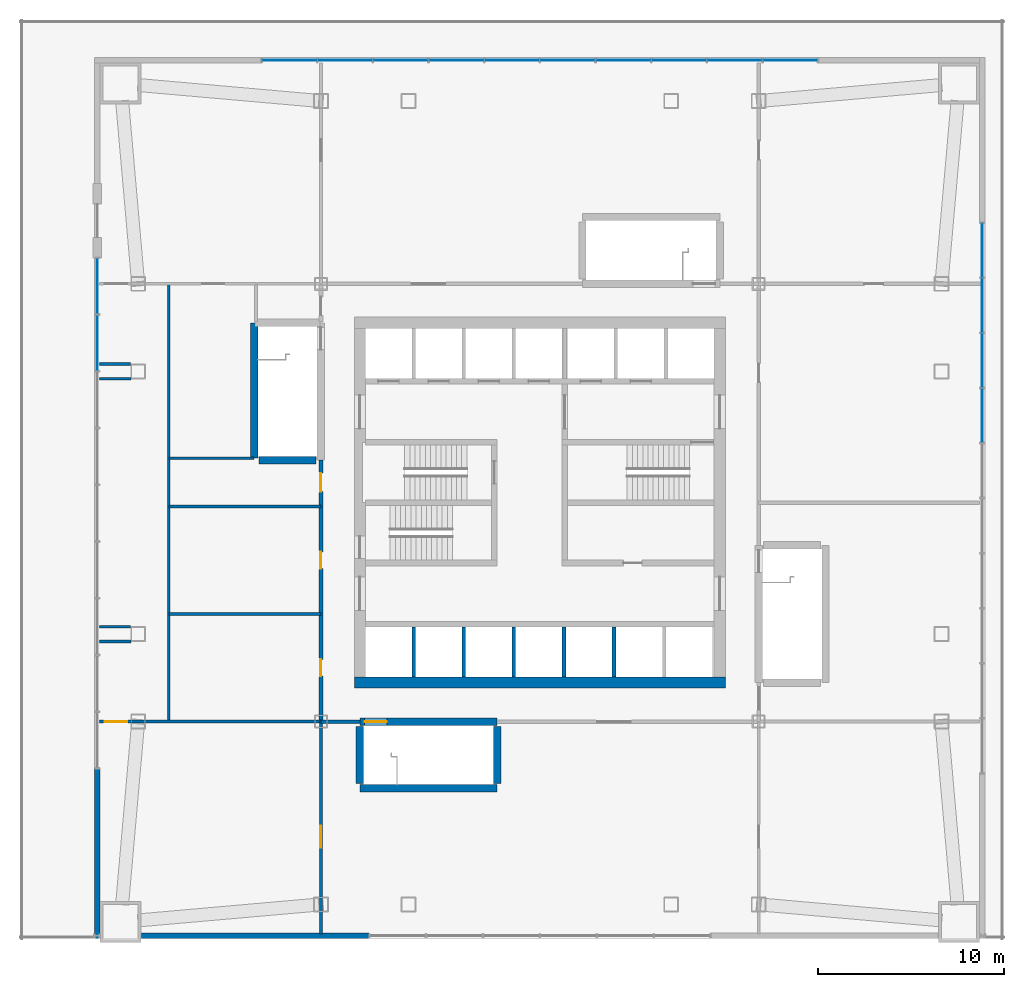
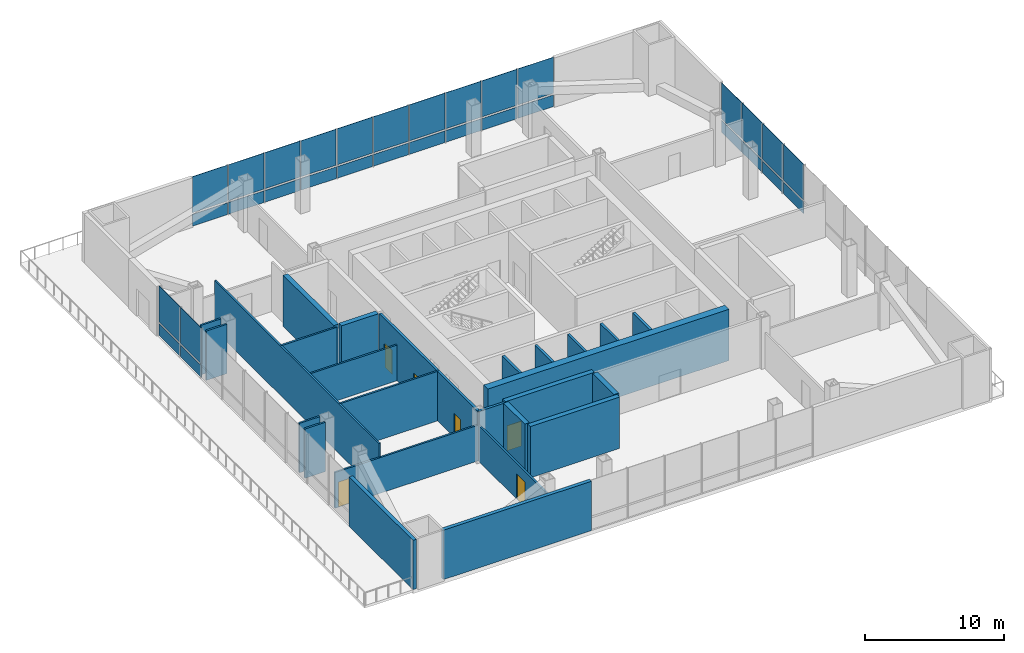
# One storey, part 11 of 15: 32 plates, 26 walls, 6 doors, 6 openings, 3 elements without a shape of their own.
"""IFC4 building model written with IfcOpenShell, lengths in metres."""

from ifc_helpers import new_model, si_unit, direction, frame, frame_2d, origin, origin_2d, place, context, subcontext, project, spatial, rectangle, extrude, material, layer, layer_set, type_object, element, fill, aggregate, save


model = new_model("IFC4")

# Units and contexts
model_context = context("Model", 3, precision=1e-05, world=origin(), true_north=direction((0.0, 1.0)))
body_context = subcontext(model_context, "Body", "Model", "MODEL_VIEW")
ifc_project = project(units=[si_unit("LENGTHUNIT", "METRE"), si_unit("AREAUNIT", "SQUARE_METRE"), si_unit("VOLUMEUNIT", "CUBIC_METRE"), si_unit("PLANEANGLEUNIT", "RADIAN"), si_unit("MASSUNIT", "GRAM", prefix="KILO")], contexts=[model_context])

# Site, building, storey
site_placement = place(None, origin())
site = spatial("IfcSite", under=ifc_project, at=site_placement, CompositionType="ELEMENT")
building_placement = place(site_placement, origin())
building = spatial("IfcBuilding", under=site, at=building_placement, Name="Turquesa Mirador Hotel Tower", CompositionType="ELEMENT")
storey_placement = place(building_placement, frame((0.0, 0.0, 20.5)))
storey = spatial("IfcBuildingStorey", under=building, at=storey_placement, Name="L04", CompositionType="ELEMENT", Elevation=20.5)

# Curtain wall, plates
ifc_material_1 = material(Name="Aluminium extrusion", Category="aluminium")
curtain_wall_type = type_object("IfcCurtainWallType", Name="CW-3 PODIUM UPPER CURTAIN WALL", PredefinedType="USERDEFINED", material=ifc_material_1)
curtain_wall_1_placement = place(storey_placement, origin())
curtain_wall_1 = element("IfcCurtainWall", 1, at=curtain_wall_1_placement, inside=storey, type_object=curtain_wall_type, Name="CW-3 PODIUM UPPER CURTAIN WALL L04", ObjectType="CURTAIN WALL", PredefinedType="USERDEFINED")
ifc_material_2 = material(Name="Ceramic-printed spandrel glass on an insulated back pan", Category="glass")
ifc_layer_1 = layer(ifc_material_2, 0.050048828125)
ifc_layer_set_1 = layer_set([ifc_layer_1], Name="CW PANEL SPANDREL CERAMIC")
plate_type_1 = type_object("IfcPlateType", Name="CW PANEL SPANDREL CERAMIC", PredefinedType="CURTAIN_PANEL", material=ifc_layer_set_1)
plate_1_placement = place(storey_placement, frame((78.85009765625, 49.703125, 0.0), z_axis=(0.0, 0.0, 1.0), x_axis=(0.0, 1.0, 0.0)))
plate_1 = element("IfcPlate", 2, at=plate_1_placement, type_object=plate_type_1, Name="Panel", PredefinedType="CURTAIN_PANEL", context=body_context, shape_type="SweptSolid", body=[
    extrude(rectangle(XDim=2.90380859375, YDim=0.050048828125, at=origin_2d()), origin(), (0.0, 0.0, 1.0), 1.02490234375),
])
plate_2_placement = place(storey_placement, frame((78.85009765625, 52.671875, 0.0), z_axis=(0.0, 0.0, 1.0), x_axis=(0.0, 1.0, 0.0)))
plate_2 = element("IfcPlate", 3, at=plate_2_placement, type_object=plate_type_1, Name="Panel", PredefinedType="CURTAIN_PANEL", context=body_context, shape_type="SweptSolid", body=[
    extrude(rectangle(XDim=2.90380859375, YDim=0.050048828125, at=origin_2d()), origin(), (0.0, 0.0, 1.0), 1.02490234375),
])
plate_3_placement = place(storey_placement, frame((78.85009765625, 55.640625, 0.0), z_axis=(0.0, 0.0, 1.0), x_axis=(0.0, 1.0, 0.0)))
plate_3 = element("IfcPlate", 4, at=plate_3_placement, type_object=plate_type_1, Name="Panel", PredefinedType="CURTAIN_PANEL", context=body_context, shape_type="SweptSolid", body=[
    extrude(rectangle(XDim=2.90380859375, YDim=0.050048828125, at=origin_2d()), origin(), (0.0, 0.0, 1.0), 1.02490234375),
])
plate_4_placement = place(storey_placement, frame((78.85009765625, 58.609375, 0.0), z_axis=(0.0, 0.0, 1.0), x_axis=(0.0, 1.0, 0.0)))
plate_4 = element("IfcPlate", 5, at=plate_4_placement, type_object=plate_type_1, Name="Panel", PredefinedType="CURTAIN_PANEL", context=body_context, shape_type="SweptSolid", body=[
    extrude(rectangle(XDim=2.90380859375, YDim=0.050048828125, at=origin_2d()), origin(), (0.0, 0.0, 1.0), 1.02490234375),
])

curtain_wall_2_placement = place(storey_placement, origin())
curtain_wall_2 = element("IfcCurtainWall", 6, at=curtain_wall_2_placement, inside=storey, type_object=curtain_wall_type, Name="CW-3 PODIUM UPPER CURTAIN WALL L04", ObjectType="CURTAIN WALL", PredefinedType="USERDEFINED")
plate_5_placement = place(storey_placement, frame((68.5, 68.85009765625, 0.0), z_axis=(0.0, 0.0, 1.0), x_axis=(-1.0, 0.0, 0.0)))
plate_5 = element("IfcPlate", 7, at=plate_5_placement, type_object=plate_type_1, Name="Panel", PredefinedType="CURTAIN_PANEL", context=body_context, shape_type="SweptSolid", body=[
    extrude(rectangle(XDim=2.93505859375, YDim=0.050048828125, at=origin_2d()), origin(), (0.0, 0.0, 1.0), 1.02490234375),
])
plate_6_placement = place(storey_placement, frame((65.5, 68.85009765625, 0.0), z_axis=(0.0, 0.0, 1.0), x_axis=(-1.0, 0.0, 0.0)))
plate_6 = element("IfcPlate", 8, at=plate_6_placement, type_object=plate_type_1, Name="Panel", PredefinedType="CURTAIN_PANEL", context=body_context, shape_type="SweptSolid", body=[
    extrude(rectangle(XDim=2.93505859375, YDim=0.050048828125, at=origin_2d()), origin(), (0.0, 0.0, 1.0), 1.02490234375),
])
plate_7_placement = place(storey_placement, frame((62.5, 68.85009765625, 0.0), z_axis=(0.0, 0.0, 1.0), x_axis=(-1.0, 0.0, 0.0)))
plate_7 = element("IfcPlate", 9, at=plate_7_placement, type_object=plate_type_1, Name="Panel", PredefinedType="CURTAIN_PANEL", context=body_context, shape_type="SweptSolid", body=[
    extrude(rectangle(XDim=2.93505859375, YDim=0.050048828125, at=origin_2d()), origin(), (0.0, 0.0, 1.0), 1.02490234375),
])
plate_8_placement = place(storey_placement, frame((59.5, 68.85009765625, 0.0), z_axis=(0.0, 0.0, 1.0), x_axis=(-1.0, 0.0, 0.0)))
plate_8 = element("IfcPlate", 10, at=plate_8_placement, type_object=plate_type_1, Name="Panel", PredefinedType="CURTAIN_PANEL", context=body_context, shape_type="SweptSolid", body=[
    extrude(rectangle(XDim=2.93505859375, YDim=0.050048828125, at=origin_2d()), origin(), (0.0, 0.0, 1.0), 1.02490234375),
])
plate_9_placement = place(storey_placement, frame((56.5, 68.85009765625, 0.0), z_axis=(0.0, 0.0, 1.0), x_axis=(-1.0, 0.0, 0.0)))
plate_9 = element("IfcPlate", 11, at=plate_9_placement, type_object=plate_type_1, Name="Panel", PredefinedType="CURTAIN_PANEL", context=body_context, shape_type="SweptSolid", body=[
    extrude(rectangle(XDim=2.93505859375, YDim=0.050048828125, at=origin_2d()), origin(), (0.0, 0.0, 1.0), 1.02490234375),
])
plate_10_placement = place(storey_placement, frame((53.5, 68.85009765625, 0.0), z_axis=(0.0, 0.0, 1.0), x_axis=(-1.0, 0.0, 0.0)))
plate_10 = element("IfcPlate", 12, at=plate_10_placement, type_object=plate_type_1, Name="Panel", PredefinedType="CURTAIN_PANEL", context=body_context, shape_type="SweptSolid", body=[
    extrude(rectangle(XDim=2.93505859375, YDim=0.050048828125, at=origin_2d()), origin(), (0.0, 0.0, 1.0), 1.02490234375),
])
plate_11_placement = place(storey_placement, frame((50.5, 68.85009765625, 0.0), z_axis=(0.0, 0.0, 1.0), x_axis=(-1.0, 0.0, 0.0)))
plate_11 = element("IfcPlate", 13, at=plate_11_placement, type_object=plate_type_1, Name="Panel", PredefinedType="CURTAIN_PANEL", context=body_context, shape_type="SweptSolid", body=[
    extrude(rectangle(XDim=2.93505859375, YDim=0.050048828125, at=origin_2d()), origin(), (0.0, 0.0, 1.0), 1.02490234375),
])
plate_12_placement = place(storey_placement, frame((47.5, 68.85009765625, 0.0), z_axis=(0.0, 0.0, 1.0), x_axis=(-1.0, 0.0, 0.0)))
plate_12 = element("IfcPlate", 14, at=plate_12_placement, type_object=plate_type_1, Name="Panel", PredefinedType="CURTAIN_PANEL", context=body_context, shape_type="SweptSolid", body=[
    extrude(rectangle(XDim=2.93505859375, YDim=0.050048828125, at=origin_2d()), origin(), (0.0, 0.0, 1.0), 1.02490234375),
])
plate_13_placement = place(storey_placement, frame((44.5, 68.85009765625, 0.0), z_axis=(0.0, 0.0, 1.0), x_axis=(-1.0, 0.0, 0.0)))
plate_13 = element("IfcPlate", 15, at=plate_13_placement, type_object=plate_type_1, Name="Panel", PredefinedType="CURTAIN_PANEL", context=body_context, shape_type="SweptSolid", body=[
    extrude(rectangle(XDim=2.93505859375, YDim=0.050048828125, at=origin_2d()), origin(), (0.0, 0.0, 1.0), 1.02490234375),
])
plate_14_placement = place(storey_placement, frame((41.5, 68.85009765625, 0.0), z_axis=(0.0, 0.0, 1.0), x_axis=(-1.0, 0.0, 0.0)))
plate_14 = element("IfcPlate", 16, at=plate_14_placement, type_object=plate_type_1, Name="Panel", PredefinedType="CURTAIN_PANEL", context=body_context, shape_type="SweptSolid", body=[
    extrude(rectangle(XDim=2.93505859375, YDim=0.050048828125, at=origin_2d()), origin(), (0.0, 0.0, 1.0), 1.02490234375),
])

curtain_wall_3_placement = place(storey_placement, origin())
curtain_wall_3 = element("IfcCurtainWall", 17, at=curtain_wall_3_placement, inside=storey, type_object=curtain_wall_type, Name="CW-3 PODIUM UPPER CURTAIN WALL L04", ObjectType="CURTAIN WALL", PredefinedType="USERDEFINED")
plate_15_placement = place(storey_placement, frame((31.14990234375, 56.6708984375, 0.0), z_axis=(0.0, 0.0, 1.0), x_axis=(0.0, -1.0, 0.0)))
plate_15 = element("IfcPlate", 18, at=plate_15_placement, type_object=plate_type_1, Name="Panel", PredefinedType="CURTAIN_PANEL", context=body_context, shape_type="SweptSolid", body=[
    extrude(rectangle(XDim=2.993408203125, YDim=0.050048828125, at=origin_2d()), origin(), (0.0, 0.0, 1.0), 1.02490234375),
])
plate_16_placement = place(storey_placement, frame((31.14990234375, 53.612548828125, 0.0), z_axis=(0.0, 0.0, 1.0), x_axis=(0.0, -1.0, 0.0)))
plate_16 = element("IfcPlate", 19, at=plate_16_placement, type_object=plate_type_1, Name="Panel", PredefinedType="CURTAIN_PANEL", context=body_context, shape_type="SweptSolid", body=[
    extrude(rectangle(XDim=2.993408203125, YDim=0.050048828125, at=origin_2d()), origin(), (0.0, 0.0, 1.0), 1.02490234375),
])

# Plate
ifc_material_3 = material(Name="Ceramic-fritted laminated glass", Category="glass")
ifc_layer_2 = layer(ifc_material_3, 0.031982421875)
ifc_layer_set_2 = layer_set([ifc_layer_2], Name="CW PANEL VISION FRITTED")
plate_type_2 = type_object("IfcPlateType", Name="CW PANEL VISION FRITTED", PredefinedType="CURTAIN_PANEL", material=ifc_layer_set_2)
plate_17_placement = place(storey_placement, frame((78.85009765625, 49.703125, 1.1748046875), z_axis=(0.0, 0.0, 1.0), x_axis=(0.0, 1.0, 0.0)))
plate_17 = element("IfcPlate", 20, at=plate_17_placement, type_object=plate_type_2, Name="Panel", PredefinedType="CURTAIN_PANEL", context=body_context, shape_type="SweptSolid", body=[
    extrude(rectangle(XDim=2.90380859375, YDim=0.031982421875, at=origin_2d()), origin(), (0.0, 0.0, 1.0), 3.155029296875),
])

plate_18_placement = place(storey_placement, frame((78.85009765625, 52.671875, 1.1748046875), z_axis=(0.0, 0.0, 1.0), x_axis=(0.0, 1.0, 0.0)))
plate_18 = element("IfcPlate", 21, at=plate_18_placement, type_object=plate_type_2, Name="Panel", PredefinedType="CURTAIN_PANEL", context=body_context, shape_type="SweptSolid", body=[
    extrude(rectangle(XDim=2.90380859375, YDim=0.031982421875, at=origin_2d()), origin(), (0.0, 0.0, 1.0), 3.155029296875),
])

plate_19_placement = place(storey_placement, frame((78.85009765625, 55.640625, 1.1748046875), z_axis=(0.0, 0.0, 1.0), x_axis=(0.0, 1.0, 0.0)))
plate_19 = element("IfcPlate", 22, at=plate_19_placement, type_object=plate_type_2, Name="Panel", PredefinedType="CURTAIN_PANEL", context=body_context, shape_type="SweptSolid", body=[
    extrude(rectangle(XDim=2.90380859375, YDim=0.031982421875, at=origin_2d()), origin(), (0.0, 0.0, 1.0), 3.155029296875),
])

plate_20_placement = place(storey_placement, frame((78.85009765625, 58.609375, 1.1748046875), z_axis=(0.0, 0.0, 1.0), x_axis=(0.0, 1.0, 0.0)))
plate_20 = element("IfcPlate", 23, at=plate_20_placement, type_object=plate_type_2, Name="Panel", PredefinedType="CURTAIN_PANEL", context=body_context, shape_type="SweptSolid", body=[
    extrude(rectangle(XDim=2.90380859375, YDim=0.031982421875, at=origin_2d()), origin(), (0.0, 0.0, 1.0), 3.155029296875),
])

aggregate(curtain_wall_1, [plate_1, plate_17, plate_2, plate_18, plate_3, plate_19, plate_4, plate_20])

plate_21_placement = place(storey_placement, frame((68.5, 68.85009765625, 1.1748046875), z_axis=(0.0, 0.0, 1.0), x_axis=(-1.0, 0.0, 0.0)))
plate_21 = element("IfcPlate", 24, at=plate_21_placement, type_object=plate_type_2, Name="Panel", PredefinedType="CURTAIN_PANEL", context=body_context, shape_type="SweptSolid", body=[
    extrude(rectangle(XDim=2.93505859375, YDim=0.031982421875, at=origin_2d()), origin(), (0.0, 0.0, 1.0), 3.155029296875),
])

plate_22_placement = place(storey_placement, frame((65.5, 68.85009765625, 1.1748046875), z_axis=(0.0, 0.0, 1.0), x_axis=(-1.0, 0.0, 0.0)))
plate_22 = element("IfcPlate", 25, at=plate_22_placement, type_object=plate_type_2, Name="Panel", PredefinedType="CURTAIN_PANEL", context=body_context, shape_type="SweptSolid", body=[
    extrude(rectangle(XDim=2.93505859375, YDim=0.031982421875, at=origin_2d()), origin(), (0.0, 0.0, 1.0), 3.155029296875),
])

plate_23_placement = place(storey_placement, frame((62.5, 68.85009765625, 1.1748046875), z_axis=(0.0, 0.0, 1.0), x_axis=(-1.0, 0.0, 0.0)))
plate_23 = element("IfcPlate", 26, at=plate_23_placement, type_object=plate_type_2, Name="Panel", PredefinedType="CURTAIN_PANEL", context=body_context, shape_type="SweptSolid", body=[
    extrude(rectangle(XDim=2.93505859375, YDim=0.031982421875, at=origin_2d()), origin(), (0.0, 0.0, 1.0), 3.155029296875),
])

plate_24_placement = place(storey_placement, frame((59.5, 68.85009765625, 1.1748046875), z_axis=(0.0, 0.0, 1.0), x_axis=(-1.0, 0.0, 0.0)))
plate_24 = element("IfcPlate", 27, at=plate_24_placement, type_object=plate_type_2, Name="Panel", PredefinedType="CURTAIN_PANEL", context=body_context, shape_type="SweptSolid", body=[
    extrude(rectangle(XDim=2.93505859375, YDim=0.031982421875, at=origin_2d()), origin(), (0.0, 0.0, 1.0), 3.155029296875),
])

plate_25_placement = place(storey_placement, frame((56.5, 68.85009765625, 1.1748046875), z_axis=(0.0, 0.0, 1.0), x_axis=(-1.0, 0.0, 0.0)))
plate_25 = element("IfcPlate", 28, at=plate_25_placement, type_object=plate_type_2, Name="Panel", PredefinedType="CURTAIN_PANEL", context=body_context, shape_type="SweptSolid", body=[
    extrude(rectangle(XDim=2.93505859375, YDim=0.031982421875, at=origin_2d()), origin(), (0.0, 0.0, 1.0), 3.155029296875),
])

plate_26_placement = place(storey_placement, frame((53.5, 68.85009765625, 1.1748046875), z_axis=(0.0, 0.0, 1.0), x_axis=(-1.0, 0.0, 0.0)))
plate_26 = element("IfcPlate", 29, at=plate_26_placement, type_object=plate_type_2, Name="Panel", PredefinedType="CURTAIN_PANEL", context=body_context, shape_type="SweptSolid", body=[
    extrude(rectangle(XDim=2.93505859375, YDim=0.031982421875, at=origin_2d()), origin(), (0.0, 0.0, 1.0), 3.155029296875),
])

plate_27_placement = place(storey_placement, frame((50.5, 68.85009765625, 1.1748046875), z_axis=(0.0, 0.0, 1.0), x_axis=(-1.0, 0.0, 0.0)))
plate_27 = element("IfcPlate", 30, at=plate_27_placement, type_object=plate_type_2, Name="Panel", PredefinedType="CURTAIN_PANEL", context=body_context, shape_type="SweptSolid", body=[
    extrude(rectangle(XDim=2.93505859375, YDim=0.031982421875, at=origin_2d()), origin(), (0.0, 0.0, 1.0), 3.155029296875),
])

plate_28_placement = place(storey_placement, frame((47.5, 68.85009765625, 1.1748046875), z_axis=(0.0, 0.0, 1.0), x_axis=(-1.0, 0.0, 0.0)))
plate_28 = element("IfcPlate", 31, at=plate_28_placement, type_object=plate_type_2, Name="Panel", PredefinedType="CURTAIN_PANEL", context=body_context, shape_type="SweptSolid", body=[
    extrude(rectangle(XDim=2.93505859375, YDim=0.031982421875, at=origin_2d()), origin(), (0.0, 0.0, 1.0), 3.155029296875),
])

plate_29_placement = place(storey_placement, frame((44.5, 68.85009765625, 1.1748046875), z_axis=(0.0, 0.0, 1.0), x_axis=(-1.0, 0.0, 0.0)))
plate_29 = element("IfcPlate", 32, at=plate_29_placement, type_object=plate_type_2, Name="Panel", PredefinedType="CURTAIN_PANEL", context=body_context, shape_type="SweptSolid", body=[
    extrude(rectangle(XDim=2.93505859375, YDim=0.031982421875, at=origin_2d()), origin(), (0.0, 0.0, 1.0), 3.155029296875),
])

plate_30_placement = place(storey_placement, frame((41.5, 68.85009765625, 1.1748046875), z_axis=(0.0, 0.0, 1.0), x_axis=(-1.0, 0.0, 0.0)))
plate_30 = element("IfcPlate", 33, at=plate_30_placement, type_object=plate_type_2, Name="Panel", PredefinedType="CURTAIN_PANEL", context=body_context, shape_type="SweptSolid", body=[
    extrude(rectangle(XDim=2.93505859375, YDim=0.031982421875, at=origin_2d()), origin(), (0.0, 0.0, 1.0), 3.155029296875),
])

aggregate(curtain_wall_2, [plate_5, plate_21, plate_6, plate_22, plate_7, plate_23, plate_8, plate_24, plate_9, plate_25, plate_10, plate_26, plate_11, plate_27, plate_12, plate_28, plate_13, plate_29, plate_14, plate_30])

plate_31_placement = place(storey_placement, frame((31.14990234375, 56.6708984375, 1.1748046875), z_axis=(0.0, 0.0, 1.0), x_axis=(0.0, -1.0, 0.0)))
plate_31 = element("IfcPlate", 34, at=plate_31_placement, type_object=plate_type_2, Name="Panel", PredefinedType="CURTAIN_PANEL", context=body_context, shape_type="SweptSolid", body=[
    extrude(rectangle(XDim=2.993408203125, YDim=0.031982421875, at=origin_2d()), origin(), (0.0, 0.0, 1.0), 3.155029296875),
])

plate_32_placement = place(storey_placement, frame((31.14990234375, 53.612548828125, 1.1748046875), z_axis=(0.0, 0.0, 1.0), x_axis=(0.0, -1.0, 0.0)))
plate_32 = element("IfcPlate", 35, at=plate_32_placement, type_object=plate_type_2, Name="Panel", PredefinedType="CURTAIN_PANEL", context=body_context, shape_type="SweptSolid", body=[
    extrude(rectangle(XDim=2.993408203125, YDim=0.031982421875, at=origin_2d()), origin(), (0.0, 0.0, 1.0), 3.155029296875),
])

aggregate(curtain_wall_3, [plate_15, plate_31, plate_16, plate_32])

# Walls
ifc_material_4 = material(Name="Concrete C50/60", Category="concrete")
ifc_layer_3 = layer(ifc_material_4, 0.60009765625)
ifc_layer_set_3 = layer_set([ifc_layer_3], Name="CORE WALL 600")
wall_type_1 = type_object("IfcWallType", Name="CORE WALL 600", PredefinedType="SHEAR", material=ifc_layer_set_3)
wall_1_placement = place(storey_placement, frame((45.0, 35.300048828125, 0.0), z_axis=(0.0, 0.0, 1.0), x_axis=(1.0, 0.0, 0.0)))
element("IfcWall", 36, at=wall_1_placement, inside=storey, type_object=wall_type_1, Name="Core wall S", PredefinedType="SHEAR", context=body_context, shape_type="SweptSolid", body=[
    extrude(rectangle(XDim=20.0, YDim=0.60009765625, at=frame_2d((10.0, 0.0))), origin(), (0.0, 0.0, 1.0), 4.5),
])
ifc_material_5 = material(Name="Fire-rated gypsum board on steel studs", Category="steel")
ifc_layer_4 = layer(ifc_material_5, 0.199951171875)
ifc_layer_set_4 = layer_set([ifc_layer_4], Name="CORRIDOR WALL 200")
wall_type_2 = type_object("IfcWallType", Name="CORRIDOR WALL 200", PredefinedType="PARTITIONING", material=ifc_layer_set_4)
wall_2_placement = place(storey_placement, frame((43.199951171875, 33.199951171875, 0.0), z_axis=(0.0, 0.0, 1.0), x_axis=(1.0, 0.0, 0.0)))
element("IfcWall", 37, at=wall_2_placement, inside=storey, type_object=wall_type_2, Name="Partition L04 002", PredefinedType="PARTITIONING", context=body_context, shape_type="SweptSolid", body=[
    extrude(rectangle(XDim=2.10009765625, YDim=0.199951171875, at=frame_2d((1.050048828125, 0.0))), origin(), (0.0, 0.0, 1.0), 4.330078125),
])

# Wall, openings, doors
wall_3_placement = place(storey_placement, frame((43.199951171875, 33.199951171875, 0.0), z_axis=(0.0, 0.0, 1.0), x_axis=(0.0, 1.0, 0.0)))
wall_3 = element("IfcWall", 38, at=wall_3_placement, inside=storey, type_object=wall_type_2, Name="Partition L04 020", PredefinedType="PARTITIONING", context=body_context, shape_type="SweptSolid", body=[
    extrude(rectangle(XDim=14.10009765625, YDim=0.199951171875, at=frame_2d((7.050048828125, 0.0))), origin(), (0.0, 0.0, 1.0), 4.330078125),
])
opening_1_placement = place(wall_3_placement, frame((12.39990234375, 0.0, 0.0)))
opening_1 = element("IfcOpeningElement", 39, at=opening_1_placement, cuts=wall_3, Name="Opening D07", PredefinedType="OPENING", context=body_context, shape_type="SweptSolid", body=[
    extrude(rectangle(XDim=1.0, YDim=2.10009765625, at=frame_2d((0.5, 1.050048828125))), frame((0.0, 0.10986328125, 0.0), z_axis=(0.0, -1.0, 0.0), x_axis=(1.0, 0.0, 0.0)), (0.0, 0.0, 1.0), 0.219970703125),
])
opening_2_placement = place(wall_3_placement, frame((2.449951171875, 0.0, 0.0)))
opening_2 = element("IfcOpeningElement", 40, at=opening_2_placement, cuts=wall_3, Name="Opening D06", PredefinedType="OPENING", context=body_context, shape_type="SweptSolid", body=[
    extrude(rectangle(XDim=0.89990234375, YDim=2.10009765625, at=frame_2d((0.449951171875, 1.050048828125))), frame((0.0, 0.10986328125, 0.0), z_axis=(0.0, -1.0, 0.0), x_axis=(1.0, 0.0, 0.0)), (0.0, 0.0, 1.0), 0.219970703125),
])
opening_3_placement = place(wall_3_placement, frame((8.25, 0.0, 0.0)))
opening_3 = element("IfcOpeningElement", 41, at=opening_3_placement, cuts=wall_3, Name="Opening D06", PredefinedType="OPENING", context=body_context, shape_type="SweptSolid", body=[
    extrude(rectangle(XDim=0.89990234375, YDim=2.10009765625, at=frame_2d((0.449951171875, 1.050048828125))), frame((0.0, 0.10986328125, 0.0), z_axis=(0.0, -1.0, 0.0), x_axis=(1.0, 0.0, 0.0)), (0.0, 0.0, 1.0), 0.219970703125),
])
ifc_material_6 = material(Name="Laminate sliding door", Category="wood")
door_type_1 = type_object("IfcDoorType", Name="DOOR 1000X2100 ACCESSIBLE WC", OperationType="SLIDING_TO_LEFT", PredefinedType="DOOR", material=ifc_material_6)
door_1_placement = place(opening_1_placement, origin())
door_1 = element("IfcDoor", 42, at=door_1_placement, inside=storey, type_object=door_type_1, Name="Door L04-06", OperationType="SLIDING_TO_LEFT", OverallHeight=2.10009765625, OverallWidth=1.0, PredefinedType="DOOR", context=body_context, shape_type="SweptSolid", body=[
    extrude(rectangle(XDim=1.0, YDim=2.10009765625, at=frame_2d((0.5, 1.050048828125))), frame((0.0, 0.02490234375, 0.0), z_axis=(0.0, -1.0, 0.0), x_axis=(1.0, 0.0, 0.0)), (0.0, 0.0, 1.0), 0.050048828125),
])
fill(opening_1, door_1)
ifc_material_7 = material(Name="Laminate door", Category="wood")
door_type_2 = type_object("IfcDoorType", Name="DOOR 900X2100 WC", OperationType="SINGLE_SWING_LEFT", PredefinedType="DOOR", material=ifc_material_7)
door_2_placement = place(opening_2_placement, origin())
door_2 = element("IfcDoor", 43, at=door_2_placement, inside=storey, type_object=door_type_2, Name="Door L04-04", OperationType="SINGLE_SWING_LEFT", OverallHeight=2.10009765625, OverallWidth=0.89990234375, PredefinedType="DOOR", context=body_context, shape_type="SweptSolid", body=[
    extrude(rectangle(XDim=0.89990234375, YDim=2.10009765625, at=frame_2d((0.449951171875, 1.050048828125))), frame((0.0, 0.02490234375, 0.0), z_axis=(0.0, -1.0, 0.0), x_axis=(1.0, 0.0, 0.0)), (0.0, 0.0, 1.0), 0.050048828125),
])
fill(opening_2, door_2)
door_3_placement = place(opening_3_placement, origin())
door_3 = element("IfcDoor", 44, at=door_3_placement, inside=storey, type_object=door_type_2, Name="Door L04-05", OperationType="SINGLE_SWING_LEFT", OverallHeight=2.10009765625, OverallWidth=0.89990234375, PredefinedType="DOOR", context=body_context, shape_type="SweptSolid", body=[
    extrude(rectangle(XDim=0.89990234375, YDim=2.10009765625, at=frame_2d((0.449951171875, 1.050048828125))), frame((0.0, 0.02490234375, 0.0), z_axis=(0.0, -1.0, 0.0), x_axis=(1.0, 0.0, 0.0)), (0.0, 0.0, 1.0), 0.050048828125),
])
fill(opening_3, door_3)

# Walls
ifc_material_8 = material(Name="Limestone cladding on concrete block", Category="masonry")
ifc_layer_5 = layer(ifc_material_8, 0.300048828125)
ifc_layer_set_5 = layer_set([ifc_layer_5], Name="FACADE WALL 300 STONE PIER")
wall_type_3 = type_object("IfcWallType", Name="FACADE WALL 300 STONE PIER", PredefinedType="SOLIDWALL", material=ifc_layer_set_5)
wall_4_placement = place(storey_placement, frame((33.534423828125, 21.64990234375, 0.0), z_axis=(0.0, 0.0, 1.0), x_axis=(1.0, 0.0, 0.0)))
element("IfcWall", 45, at=wall_4_placement, inside=storey, type_object=wall_type_3, Name="Facade wall L04 bay CWP-L04-S0a 00", PredefinedType="SOLIDWALL", context=body_context, shape_type="SweptSolid", body=[
    extrude(rectangle(XDim=12.26611328125, YDim=0.300048828125, at=frame_2d((6.133056640625, 0.0))), origin(), (0.0, 0.0, 1.0), 4.330078125),
])
wall_5_placement = place(storey_placement, frame((31.14990234375, 30.675048828125, 0.0), z_axis=(0.0, 0.0, 1.0), x_axis=(0.0, -1.0, 0.0)))
element("IfcWall", 46, at=wall_5_placement, inside=storey, type_object=wall_type_3, Name="Facade wall L04 bay CWP-L04-W2 09", PredefinedType="SOLIDWALL", context=body_context, shape_type="SweptSolid", body=[
    extrude(rectangle(XDim=9.175048828125, YDim=0.300048828125, at=frame_2d((4.58740234375, 0.0))), origin(), (0.0, 0.0, 1.0), 4.330078125),
])
ifc_material_9 = material(Name="Fire-rated gypsum shaft wall on steel studs", Category="steel")
ifc_layer_6 = layer(ifc_material_9, 0.199951171875)
ifc_layer_set_6 = layer_set([ifc_layer_6], Name="LIFT SHAFT DIVIDER 200")
wall_type_4 = type_object("IfcWallType", Name="LIFT SHAFT DIVIDER 200", PredefinedType="PARTITIONING", material=ifc_layer_set_6)
for number, where, z_axis, x_axis, name in (
    (47, (48.199951171875, 35.60009765625, 0.0), (0.0, 0.0, 1.0), (0.0, 1.0, 0.0), "Lift shaft divider"),
    (48, (50.89990234375, 35.60009765625, 0.0), (0.0, 0.0, 1.0), (0.0, 1.0, 0.0), "Lift shaft divider"),
    (49, (53.60009765625, 35.60009765625, 0.0), (0.0, 0.0, 1.0), (0.0, 1.0, 0.0), "Lift shaft divider"),
    (50, (56.300048828125, 35.60009765625, 0.0), (0.0, 0.0, 1.0), (0.0, 1.0, 0.0), "Lift shaft divider"),
    (51, (59.0, 35.60009765625, 0.0), (0.0, 0.0, 1.0), (0.0, 1.0, 0.0), "Lift shaft divider"),
):
    element("IfcWall", number, at=place(storey_placement, frame(where, z_axis=z_axis, x_axis=x_axis)), inside=storey, type_object=wall_type_4, Name=name, PredefinedType="PARTITIONING", context=body_context, shape_type="SweptSolid", body=[
        extrude(rectangle(XDim=2.699951171875, YDim=0.199951171875, at=frame_2d((1.35009765625, 0.0))), origin(), (0.0, 0.0, 1.0), 4.330078125),
    ])
ifc_material_10 = material(Name="Gypsum board on steel studs", Category="steel")
ifc_layer_7 = layer(ifc_material_10, 0.14990234375)
ifc_layer_set_7 = layer_set([ifc_layer_7], Name="PARTITION 150")
wall_type_5 = type_object("IfcWallType", Name="PARTITION 150", PredefinedType="PARTITIONING", material=ifc_layer_set_7)
wall_6_placement = place(storey_placement, frame((35.0, 44.800048828125, 0.0), z_axis=(0.0, 0.0, 1.0), x_axis=(1.0, 0.0, 0.0)))
element("IfcWall", 52, at=wall_6_placement, inside=storey, type_object=wall_type_5, Name="Partition L04 001", PredefinedType="PARTITIONING", context=body_context, shape_type="SweptSolid", body=[
    extrude(rectangle(XDim=8.199951171875, YDim=0.14990234375, at=frame_2d((4.10009765625, 0.0))), origin(), (0.0, 0.0, 1.0), 3.1298828125),
])

# Wall, opening, door
wall_7_placement = place(storey_placement, frame((31.2548828125, 33.199951171875, 0.0), z_axis=(0.0, 0.0, 1.0), x_axis=(1.0, 0.0, 0.0)))
wall_7 = element("IfcWall", 53, at=wall_7_placement, inside=storey, type_object=wall_type_5, Name="Partition L04 004", PredefinedType="PARTITIONING", context=body_context, shape_type="SweptSolid", body=[
    extrude(rectangle(XDim=11.945068359375, YDim=0.14990234375, at=frame_2d((5.97265625, 0.0))), origin(), (0.0, 0.0, 1.0), 3.1298828125),
])
opening_4_placement = place(wall_7_placement, frame((0.294921875, 0.0, 0.0)))
opening_4 = element("IfcOpeningElement", 54, at=opening_4_placement, cuts=wall_7, Name="Opening D09", PredefinedType="OPENING", context=body_context, shape_type="SweptSolid", body=[
    extrude(rectangle(XDim=1.199951171875, YDim=2.199951171875, at=frame_2d((0.60009765625, 1.10009765625))), frame((0.0, 0.0849609375, 0.0), z_axis=(0.0, -1.0, 0.0), x_axis=(1.0, 0.0, 0.0)), (0.0, 0.0, 1.0), 0.169921875),
])
ifc_material_11 = material(Name="Timber door", Category="wood")
door_type_3 = type_object("IfcDoorType", Name="DOOR 1200X2200 OFFICE", OperationType="SINGLE_SWING_LEFT", PredefinedType="DOOR", material=ifc_material_11)
door_4_placement = place(opening_4_placement, origin())
door_4 = element("IfcDoor", 55, at=door_4_placement, inside=storey, type_object=door_type_3, Name="Door L04-08", OperationType="SINGLE_SWING_LEFT", OverallHeight=2.199951171875, OverallWidth=1.199951171875, PredefinedType="DOOR", context=body_context, shape_type="SweptSolid", body=[
    extrude(rectangle(XDim=1.199951171875, YDim=2.199951171875, at=frame_2d((0.60009765625, 1.10009765625))), frame((0.0, 0.02490234375, 0.0), z_axis=(0.0, -1.0, 0.0), x_axis=(1.0, 0.0, 0.0)), (0.0, 0.0, 1.0), 0.050048828125),
])
fill(opening_4, door_4)

# Walls
wall_8_placement = place(storey_placement, frame((35.0, 39.0, 0.0), z_axis=(0.0, 0.0, 1.0), x_axis=(1.0, 0.0, 0.0)))
element("IfcWall", 56, at=wall_8_placement, inside=storey, type_object=wall_type_5, Name="Partition L04 009", PredefinedType="PARTITIONING", context=body_context, shape_type="SweptSolid", body=[
    extrude(rectangle(XDim=8.199951171875, YDim=0.14990234375, at=frame_2d((4.10009765625, 0.0))), origin(), (0.0, 0.0, 1.0), 4.330078125),
])
wall_9_placement = place(storey_placement, frame((35.0, 47.39990234375, 0.0), z_axis=(0.0, 0.0, 1.0), x_axis=(1.0, 0.0, 0.0)))
element("IfcWall", 57, at=wall_9_placement, inside=storey, type_object=wall_type_5, Name="Partition L04 019", PredefinedType="PARTITIONING", context=body_context, shape_type="SweptSolid", body=[
    extrude(rectangle(XDim=4.60009765625, YDim=0.14990234375, at=frame_2d((2.300048828125, 0.0))), origin(), (0.0, 0.0, 1.0), 4.330078125),
])

# Wall, opening, door
wall_10_placement = place(storey_placement, frame((43.199951171875, 21.7548828125, 0.0), z_axis=(0.0, 0.0, 1.0), x_axis=(0.0, 1.0, 0.0)))
wall_10 = element("IfcWall", 58, at=wall_10_placement, inside=storey, type_object=wall_type_5, Name="Partition L04 021", PredefinedType="PARTITIONING", context=body_context, shape_type="SweptSolid", body=[
    extrude(rectangle(XDim=11.445068359375, YDim=0.14990234375, at=frame_2d((5.72265625, 0.0))), origin(), (0.0, 0.0, 1.0), 3.1298828125),
])
opening_5_placement = place(wall_10_placement, frame((4.64501953125, 0.0, 0.0)))
opening_5 = element("IfcOpeningElement", 59, at=opening_5_placement, cuts=wall_10, Name="Opening D09", PredefinedType="OPENING", context=body_context, shape_type="SweptSolid", body=[
    extrude(rectangle(XDim=1.199951171875, YDim=2.199951171875, at=frame_2d((0.60009765625, 1.10009765625))), frame((0.0, 0.0849609375, 0.0), z_axis=(0.0, -1.0, 0.0), x_axis=(1.0, 0.0, 0.0)), (0.0, 0.0, 1.0), 0.169921875),
])
door_5_placement = place(opening_5_placement, origin())
door_5 = element("IfcDoor", 60, at=door_5_placement, inside=storey, type_object=door_type_3, Name="Door L04-02", OperationType="SINGLE_SWING_LEFT", OverallHeight=2.199951171875, OverallWidth=1.199951171875, PredefinedType="DOOR", context=body_context, shape_type="SweptSolid", body=[
    extrude(rectangle(XDim=1.199951171875, YDim=2.199951171875, at=frame_2d((0.60009765625, 1.10009765625))), frame((0.0, 0.02490234375, 0.0), z_axis=(0.0, -1.0, 0.0), x_axis=(1.0, 0.0, 0.0)), (0.0, 0.0, 1.0), 0.050048828125),
])
fill(opening_5, door_5)

# Walls
wall_11_placement = place(storey_placement, frame((35.0, 33.199951171875, 0.0), z_axis=(0.0, 0.0, 1.0), x_axis=(0.0, 1.0, 0.0)))
element("IfcWall", 61, at=wall_11_placement, inside=storey, type_object=wall_type_5, Name="Partition L04 026", PredefinedType="PARTITIONING", context=body_context, shape_type="SweptSolid", body=[
    extrude(rectangle(XDim=23.60009765625, YDim=0.14990234375, at=frame_2d((11.800048828125, 0.0))), origin(), (0.0, 0.0, 1.0), 4.330078125),
])
for number, where, z_axis, x_axis, name in (
    (62, (32.948974609375, 38.320068359375, 0.0), (0.0, 0.0, 1.0), (-1.0, 0.0, 0.0), "Partition L04 040"),
    (63, (31.2548828125, 37.52001953125, 0.0), (0.0, 0.0, 1.0), (1.0, 0.0, 0.0), "Partition L04 041"),
    (64, (32.948974609375, 52.47998046875, 0.0), (0.0, 0.0, 1.0), (-1.0, 0.0, 0.0), "Partition L04 042"),
    (65, (31.2548828125, 51.679931640625, 0.0), (0.0, 0.0, 1.0), (1.0, 0.0, 0.0), "Partition L04 043"),
):
    element("IfcWall", number, at=place(storey_placement, frame(where, z_axis=z_axis, x_axis=x_axis)), inside=storey, type_object=wall_type_5, Name=name, PredefinedType="PARTITIONING", context=body_context, shape_type="SweptSolid", body=[
        extrude(rectangle(XDim=1.694091796875, YDim=0.14990234375, at=frame_2d((0.84716796875, 0.0))), origin(), (0.0, 0.0, 1.0), 4.330078125),
    ])

# Wall, opening, door
ifc_material_12 = material(Name="Concrete C50/60", Category="concrete")
ifc_layer_8 = layer(ifc_material_12, 0.39990234375)
ifc_layer_set_8 = layer_set([ifc_layer_8], Name="STAIR WALL 400")
wall_type_6 = type_object("IfcWallType", Name="STAIR WALL 400", PredefinedType="SHEAR", material=ifc_layer_set_8)
wall_12_placement = place(storey_placement, frame((45.300048828125, 33.199951171875, 0.0), z_axis=(0.0, 0.0, 1.0), x_axis=(1.0, 0.0, 0.0)))
wall_12 = element("IfcWall", 66, at=wall_12_placement, inside=storey, type_object=wall_type_6, Name="Stair wall L04 006", PredefinedType="SHEAR", context=body_context, shape_type="SweptSolid", body=[
    extrude(rectangle(XDim=7.39990234375, YDim=0.39990234375, at=frame_2d((3.699951171875, 0.0))), origin(), (0.0, 0.0, 1.0), 4.5),
])
opening_6_placement = place(wall_12_placement, frame((0.25, 0.0, 0.0)))
opening_6 = element("IfcOpeningElement", 67, at=opening_6_placement, cuts=wall_12, Name="Opening D03", PredefinedType="OPENING", context=body_context, shape_type="SweptSolid", body=[
    extrude(rectangle(XDim=1.199951171875, YDim=2.199951171875, at=frame_2d((0.60009765625, 1.10009765625))), frame((0.0, 0.2099609375, 0.0), z_axis=(0.0, -1.0, 0.0), x_axis=(1.0, 0.0, 0.0)), (0.0, 0.0, 1.0), 0.419921875),
])
ifc_material_13 = material(Name="Steel fire door", Category="steel")
door_type_4 = type_object("IfcDoorType", Name="DOOR 1200X2200 STAIR", OperationType="SINGLE_SWING_LEFT", PredefinedType="DOOR", material=ifc_material_13)
door_6_placement = place(opening_6_placement, origin())
door_6 = element("IfcDoor", 68, at=door_6_placement, inside=storey, type_object=door_type_4, Name="Door L04-PS2", OperationType="SINGLE_SWING_LEFT", OverallHeight=2.199951171875, OverallWidth=1.199951171875, PredefinedType="DOOR", context=body_context, shape_type="SweptSolid", body=[
    extrude(rectangle(XDim=1.199951171875, YDim=2.199951171875, at=frame_2d((0.60009765625, 1.10009765625))), frame((0.0, 0.02490234375, 0.0), z_axis=(0.0, -1.0, 0.0), x_axis=(1.0, 0.0, 0.0)), (0.0, 0.0, 1.0), 0.050048828125),
])
fill(opening_6, door_6)

# Walls
wall_13_placement = place(storey_placement, frame((45.300048828125, 29.60009765625, 0.0), z_axis=(0.0, 0.0, 1.0), x_axis=(1.0, 0.0, 0.0)))
element("IfcWall", 69, at=wall_13_placement, inside=storey, type_object=wall_type_6, Name="Stair wall L04 007", PredefinedType="SHEAR", context=body_context, shape_type="SweptSolid", body=[
    extrude(rectangle(XDim=7.39990234375, YDim=0.39990234375, at=frame_2d((3.699951171875, 0.0))), origin(), (0.0, 0.0, 1.0), 4.5),
])
wall_14_placement = place(storey_placement, frame((39.8701171875, 47.300048828125, 0.0), z_axis=(0.0, 0.0, 1.0), x_axis=(1.0, 0.0, 0.0)))
element("IfcWall", 70, at=wall_14_placement, inside=storey, type_object=wall_type_6, Name="Stair wall L04 018", PredefinedType="SHEAR", context=body_context, shape_type="SweptSolid", body=[
    extrude(rectangle(XDim=3.059814453125, YDim=0.39990234375, at=frame_2d((1.52978515625, 0.0))), origin(), (0.0, 0.0, 1.0), 4.5),
])
wall_15_placement = place(storey_placement, frame((39.60009765625, 47.39990234375, 0.0), z_axis=(0.0, 0.0, 1.0), x_axis=(0.0, 1.0, 0.0)))
element("IfcWall", 71, at=wall_15_placement, inside=storey, type_object=wall_type_6, Name="Stair wall L04 024", PredefinedType="SHEAR", context=body_context, shape_type="SweptSolid", body=[
    extrude(rectangle(XDim=7.300048828125, YDim=0.39990234375, at=frame_2d((3.64990234375, 0.0))), origin(), (0.0, 0.0, 1.0), 4.5),
])
for number, where, z_axis, x_axis, name in (
    (72, (52.699951171875, 29.8701171875, 0.0), (0.0, 0.0, 1.0), (0.0, 1.0, 0.0), "Stair wall L04 025"),
    (73, (45.300048828125, 29.8701171875, 0.0), (0.0, 0.0, 1.0), (0.0, 1.0, 0.0), "Stair wall L04 027"),
):
    element("IfcWall", number, at=place(storey_placement, frame(where, z_axis=z_axis, x_axis=x_axis)), inside=storey, type_object=wall_type_6, Name=name, PredefinedType="SHEAR", context=body_context, shape_type="SweptSolid", body=[
        extrude(rectangle(XDim=3.059814453125, YDim=0.39990234375, at=frame_2d((1.52978515625, 0.0))), origin(), (0.0, 0.0, 1.0), 4.5),
    ])

save(model, "model.ifc")
